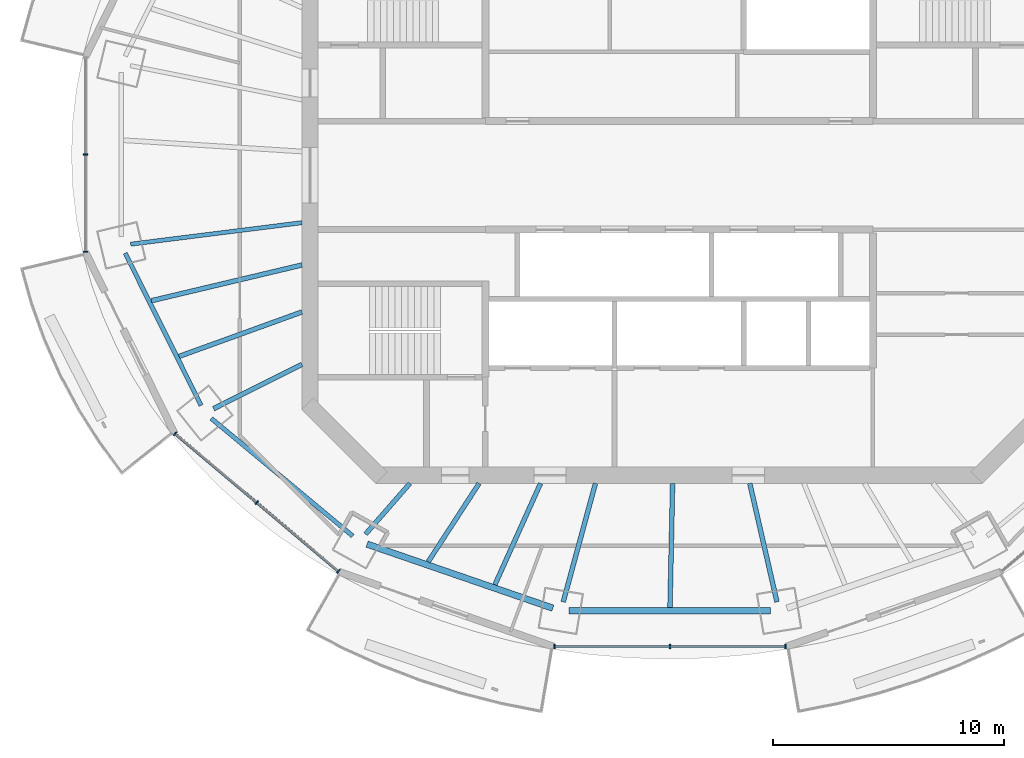
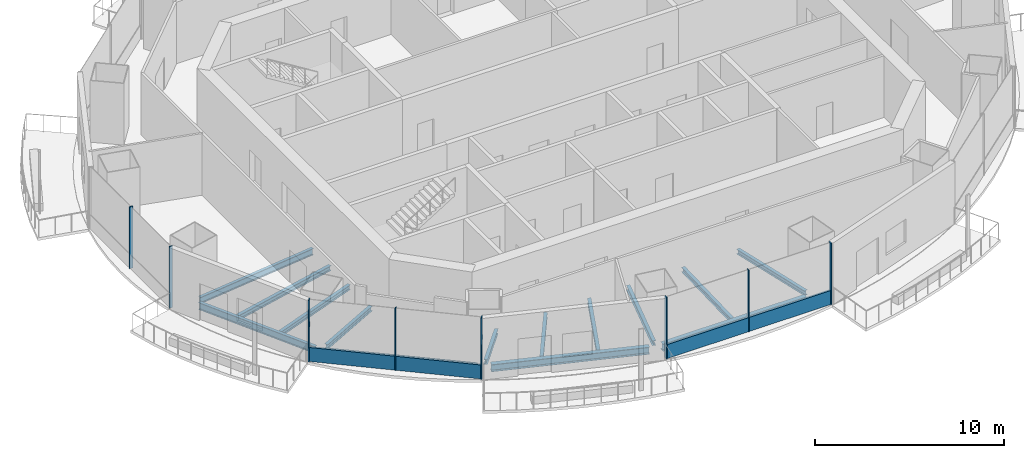
# One storey, part 2 of 16: 14 beams, 10 members, 3 elements without a shape of their own.
"""IFC4 building model written with IfcOpenShell, lengths in metres."""

from ifc_helpers import new_model, si_unit, direction, frame, origin, origin_2d, place, context, subcontext, project, spatial, rectangle, i_section, extrude, material, material_profile, profile_set, type_object, element, aggregate, save


model = new_model("IFC4")

# Units and contexts
model_context = context("Model", 3, precision=1e-05, world=origin(), true_north=direction((0.0, 1.0)))
body_context = subcontext(model_context, "Body", "Model", "MODEL_VIEW")
ifc_project = project(units=[si_unit("LENGTHUNIT", "METRE"), si_unit("AREAUNIT", "SQUARE_METRE"), si_unit("VOLUMEUNIT", "CUBIC_METRE"), si_unit("PLANEANGLEUNIT", "RADIAN"), si_unit("MASSUNIT", "GRAM", prefix="KILO")], contexts=[model_context])

# Site, building, storey
site_placement = place(None, origin())
site = spatial("IfcSite", under=ifc_project, at=site_placement, CompositionType="ELEMENT")
building_placement = place(site_placement, origin())
building = spatial("IfcBuilding", under=site, at=building_placement, Name="Marenthal Gate Tower", CompositionType="ELEMENT")
storey_placement = place(building_placement, frame((0.0, 0.0, 371.64990234375)))
storey = spatial("IfcBuildingStorey", under=building, at=storey_placement, Name="L84", CompositionType="ELEMENT", Elevation=371.64990234375)

# Curtain wall, members
ifc_material_1 = material(Name="Aluminium and glass", Category="aluminium")
curtain_wall_type = type_object("IfcCurtainWallType", Name="Curtain wall typical high", PredefinedType="NOTDEFINED", material=ifc_material_1)
curtain_wall_1_placement = place(storey_placement, origin())
curtain_wall_1 = element("IfcCurtainWall", 1, at=curtain_wall_1_placement, inside=storey, type_object=curtain_wall_type, Name="Curtain wall L84 bay 8", PredefinedType="NOTDEFINED")
ifc_material_2 = material(Name="Aluminium", Category="aluminium")
ifc_material_profile_1 = material_profile(ifc_material_2, rectangle(XDim=0.199951171875, YDim=0.06005859375, at=origin_2d()), Name="60x200 aluminium mullion")
ifc_profile_set_1 = profile_set([ifc_material_profile_1], Name="Aluminium")
member_type_1 = type_object("IfcMemberType", Name="Mullion 60x200 typical high", PredefinedType="MULLION", material=ifc_profile_set_1)
member_1_placement = place(storey_placement, frame((-25.725830078125, 0.89990234375, 0.0), z_axis=(0.0, 0.0, 1.0), x_axis=(1.0, 0.0, 0.0)))
member_1 = element("IfcMember", 2, at=member_1_placement, type_object=member_type_1, Name="Mullion L84 bay 8.2", PredefinedType="MULLION", context=body_context, shape_type="SweptSolid", body=[
    extrude(rectangle(XDim=0.199951171875, YDim=0.06005859375, at=origin_2d()), origin(), (0.0, 0.0, 1.0), 3.97021484375),
])
member_2_placement = place(storey_placement, frame((-25.725830078125, -3.312255859375, 0.0), z_axis=(0.0, 0.0, 1.0), x_axis=(1.0, 0.0, 0.0)))
member_2 = element("IfcMember", 3, at=member_2_placement, type_object=member_type_1, Name="Mullion L84 bay 8.3", PredefinedType="MULLION", context=body_context, shape_type="SweptSolid", body=[
    extrude(rectangle(XDim=0.199951171875, YDim=0.06005859375, at=origin_2d()), origin(), (0.0, 0.0, 1.0), 3.97021484375),
])
aggregate(curtain_wall_1, [member_1, member_2])

curtain_wall_2_placement = place(storey_placement, origin())
curtain_wall_2 = element("IfcCurtainWall", 4, at=curtain_wall_2_placement, inside=storey, type_object=curtain_wall_type, Name="Curtain wall L84 bay 10", PredefinedType="NOTDEFINED")
member_3_placement = place(storey_placement, frame((-21.84716796875, -11.2001953125, 0.0), z_axis=(0.0, 0.0, 1.0), x_axis=(0.64413508453, 0.764911754961, 0.0)))
member_3 = element("IfcMember", 5, at=member_3_placement, type_object=member_type_1, Name="Mullion L84 bay 10.1", PredefinedType="MULLION", context=body_context, shape_type="SweptSolid", body=[
    extrude(rectangle(XDim=0.199951171875, YDim=0.06005859375, at=origin_2d()), origin(), (0.0, 0.0, 1.0), 3.97021484375),
])
member_4_placement = place(storey_placement, frame((-18.30810546875, -14.1806640625, 0.0), z_axis=(0.0, 0.0, 1.0), x_axis=(0.64413508453, 0.764911754961, 0.0)))
member_4 = element("IfcMember", 6, at=member_4_placement, type_object=member_type_1, Name="Mullion L84 bay 10.2", PredefinedType="MULLION", context=body_context, shape_type="SweptSolid", body=[
    extrude(rectangle(XDim=0.199951171875, YDim=0.06005859375, at=origin_2d()), origin(), (0.0, 0.0, 1.0), 3.97021484375),
])
member_5_placement = place(storey_placement, frame((-14.768798828125, -17.160888671875, 0.0), z_axis=(0.0, 0.0, 1.0), x_axis=(0.64413508453, 0.764911754961, 0.0)))
member_5 = element("IfcMember", 7, at=member_5_placement, type_object=member_type_1, Name="Mullion L84 bay 10.3", PredefinedType="MULLION", context=body_context, shape_type="SweptSolid", body=[
    extrude(rectangle(XDim=0.199951171875, YDim=0.06005859375, at=origin_2d()), origin(), (0.0, 0.0, 1.0), 3.97021484375),
])

curtain_wall_3_placement = place(storey_placement, origin())
curtain_wall_3 = element("IfcCurtainWall", 8, at=curtain_wall_3_placement, inside=storey, type_object=curtain_wall_type, Name="Curtain wall L84 bay 12", PredefinedType="NOTDEFINED")
member_6_placement = place(storey_placement, frame((-5.40771484375, -20.42724609375, 0.0), z_axis=(0.0, 0.0, 1.0), x_axis=(0.0, 1.0, 0.0)))
member_6 = element("IfcMember", 9, at=member_6_placement, type_object=member_type_1, Name="Mullion L84 bay 12.1", PredefinedType="MULLION", context=body_context, shape_type="SweptSolid", body=[
    extrude(rectangle(XDim=0.199951171875, YDim=0.06005859375, at=origin_2d()), origin(), (0.0, 0.0, 1.0), 3.97021484375),
])
member_7_placement = place(storey_placement, frame((-0.39990234375, -20.42724609375, 0.0), z_axis=(0.0, 0.0, 1.0), x_axis=(0.0, 1.0, 0.0)))
member_7 = element("IfcMember", 10, at=member_7_placement, type_object=member_type_1, Name="Mullion L84 bay 12.2", PredefinedType="MULLION", context=body_context, shape_type="SweptSolid", body=[
    extrude(rectangle(XDim=0.199951171875, YDim=0.06005859375, at=origin_2d()), origin(), (0.0, 0.0, 1.0), 3.97021484375),
])
member_8_placement = place(storey_placement, frame((4.607666015625, -20.42724609375, 0.0), z_axis=(0.0, 0.0, 1.0), x_axis=(0.0, 1.0, 0.0)))
member_8 = element("IfcMember", 11, at=member_8_placement, type_object=member_type_1, Name="Mullion L84 bay 12.3", PredefinedType="MULLION", context=body_context, shape_type="SweptSolid", body=[
    extrude(rectangle(XDim=0.199951171875, YDim=0.06005859375, at=origin_2d()), origin(), (0.0, 0.0, 1.0), 3.97021484375),
])

# Member
ifc_material_3 = material(Name="Aluminium", Category="aluminium")
ifc_material_profile_2 = material_profile(ifc_material_3, rectangle(XDim=0.1201171875, YDim=0.89990234375, at=origin_2d()), Name="120x900 aluminium transom")
ifc_profile_set_2 = profile_set([ifc_material_profile_2], Name="Aluminium")
member_type_2 = type_object("IfcMemberType", Name="Transom 120x900 typical high", PredefinedType="USERDEFINED", material=ifc_profile_set_2)
member_9_placement = place(storey_placement, frame((-21.82421875, -11.219482421875, 0.4501953125), z_axis=(0.764909132267, -0.644138198972, 0.0), x_axis=(0.644138198972, 0.764909132267, 0.0)))
member_9 = element("IfcMember", 12, at=member_9_placement, type_object=member_type_2, Name="Transom L84 bay 10", ObjectType="TRANSOM", PredefinedType="USERDEFINED", context=body_context, shape_type="SweptSolid", body=[
    extrude(rectangle(XDim=0.1201171875, YDim=0.89990234375, at=origin_2d()), origin(), (0.0, 0.0, 1.0), 9.19384765625),
])

aggregate(curtain_wall_2, [member_3, member_4, member_5, member_9])

member_10_placement = place(storey_placement, frame((-5.377685546875, -20.42724609375, 0.4501953125), z_axis=(1.0, 0.0, 0.0), x_axis=(0.0, 1.0, 0.0)))
member_10 = element("IfcMember", 13, at=member_10_placement, type_object=member_type_2, Name="Transom L84 bay 12", ObjectType="TRANSOM", PredefinedType="USERDEFINED", context=body_context, shape_type="SweptSolid", body=[
    extrude(rectangle(XDim=0.1201171875, YDim=0.89990234375, at=origin_2d()), origin(), (0.0, 0.0, 1.0), 9.955322265625),
])

aggregate(curtain_wall_3, [member_6, member_7, member_8, member_10])

# Beams
ifc_material_4 = material(Name="Steel S355", Category="steel")
ifc_material_profile_3 = material_profile(ifc_material_4, i_section(OverallWidth=0.202880859375, OverallDepth=0.302001953125, WebThickness=0.007568359375, FlangeThickness=0.01318359375, FilletRadius=0.0126953125, at=origin_2d()), Name="W310X60")
ifc_profile_set_3 = profile_set([ifc_material_profile_3], Name="Steel S355")
beam_type_1 = type_object("IfcBeamType", Name="W310X60 beam", PredefinedType="BEAM", material=ifc_profile_set_3)
beam_1_placement = place(storey_placement, frame((-21.672607421875, -7.847412109375, -0.330810546875), z_axis=(0.940258470741, 0.340461463604, 0.0), x_axis=(-0.340461463604, 0.940258470741, 0.0)))
element("IfcBeam", 14, at=beam_1_placement, inside=storey, type_object=beam_type_1, Name="BM-L84-30", PredefinedType="BEAM", context=body_context, shape_type="SweptSolid", body=[
    extrude(i_section(OverallWidth=0.202880859375, OverallDepth=0.302001953125, WebThickness=0.007568359375, FlangeThickness=0.01318359375, FilletRadius=0.0126953125, at=origin_2d()), origin(), (0.0, 0.0, 1.0), 5.66064453125),
])
beam_2_placement = place(storey_placement, frame((-10.876953125, -16.749755859375, -0.330810546875), z_axis=(0.544639003867, 0.838670588173, 0.0), x_axis=(-0.838670588173, 0.544639003867, 0.0)))
element("IfcBeam", 15, at=beam_2_placement, inside=storey, type_object=beam_type_1, Name="BM-L84-31", PredefinedType="BEAM", context=body_context, shape_type="SweptSolid", body=[
    extrude(i_section(OverallWidth=0.202880859375, OverallDepth=0.302001953125, WebThickness=0.007568359375, FlangeThickness=0.01318359375, FilletRadius=0.0126953125, at=origin_2d()), origin(), (0.0, 0.0, 1.0), 4.0537109375),
])
beam_3_placement = place(storey_placement, frame((-7.98486328125, -17.74609375, -0.330810546875), z_axis=(0.410335194942, 0.911934771676, 0.0), x_axis=(-0.911934771676, 0.410335194942, 0.0)))
element("IfcBeam", 16, at=beam_3_placement, inside=storey, type_object=beam_type_1, Name="BM-L84-32", PredefinedType="BEAM", context=body_context, shape_type="SweptSolid", body=[
    extrude(i_section(OverallWidth=0.202880859375, OverallDepth=0.302001953125, WebThickness=0.007568359375, FlangeThickness=0.01318359375, FilletRadius=0.0126953125, at=origin_2d()), origin(), (0.0, 0.0, 1.0), 4.820556640625),
])
beam_4_placement = place(storey_placement, frame((-0.39697265625, -18.738037109375, -0.330810546875), z_axis=(0.021156168271, 0.999776183225, 0.0), x_axis=(-0.999776183225, 0.021156168271, 0.0)))
element("IfcBeam", 17, at=beam_4_placement, inside=storey, type_object=beam_type_1, Name="BM-L84-33", PredefinedType="BEAM", context=body_context, shape_type="SweptSolid", body=[
    extrude(i_section(OverallWidth=0.202880859375, OverallDepth=0.302001953125, WebThickness=0.007568359375, FlangeThickness=0.01318359375, FilletRadius=0.0126953125, at=origin_2d()), origin(), (0.0, 0.0, 1.0), 5.38916015625),
])
ifc_material_5 = material(Name="Steel S355", Category="steel")
ifc_material_profile_4 = material_profile(ifc_material_5, i_section(OverallWidth=0.205078125, OverallDepth=0.31005859375, WebThickness=0.009521484375, FlangeThickness=0.016357421875, FilletRadius=0.0126953125, at=origin_2d()), Name="W310X74")
ifc_profile_set_4 = profile_set([ifc_material_profile_4], Name="Steel S355")
beam_type_2 = type_object("IfcBeamType", Name="W310X74 beam", PredefinedType="BEAM", material=ifc_profile_set_4)
beam_5_placement = place(storey_placement, frame((-20.180419921875, -10.114501953125, -0.3349609375), z_axis=(0.894005119758, 0.448056744003, 0.0), x_axis=(-0.448056744003, 0.894005119758, 0.0)))
element("IfcBeam", 18, at=beam_5_placement, inside=storey, type_object=beam_type_2, Name="BM-L84-10", PredefinedType="BEAM", context=body_context, shape_type="SweptSolid", body=[
    extrude(i_section(OverallWidth=0.205078125, OverallDepth=0.31005859375, WebThickness=0.009521484375, FlangeThickness=0.016357421875, FilletRadius=0.0126953125, at=origin_2d()), origin(), (0.0, 0.0, 1.0), 4.284423828125),
])
beam_6_placement = place(storey_placement, frame((-13.59130859375, -15.550048828125, -0.3349609375), z_axis=(0.658096337895, 0.752933735497, 0.0), x_axis=(-0.752933735497, 0.658096337895, 0.0)))
element("IfcBeam", 19, at=beam_6_placement, inside=storey, type_object=beam_type_2, Name="BM-L84-11", PredefinedType="BEAM", context=body_context, shape_type="SweptSolid", body=[
    extrude(i_section(OverallWidth=0.205078125, OverallDepth=0.31005859375, WebThickness=0.009521484375, FlangeThickness=0.016357421875, FilletRadius=0.0126953125, at=origin_2d()), origin(), (0.0, 0.0, 1.0), 2.921875),
])
beam_7_placement = place(storey_placement, frame((-5.023193359375, -18.487060546875, -0.3349609375), z_axis=(0.262201429118, 0.965013166008, 0.0), x_axis=(-0.965013166008, 0.262201429118, 0.0)))
element("IfcBeam", 20, at=beam_7_placement, inside=storey, type_object=beam_type_2, Name="BM-L84-12", PredefinedType="BEAM", context=body_context, shape_type="SweptSolid", body=[
    extrude(i_section(OverallWidth=0.205078125, OverallDepth=0.31005859375, WebThickness=0.009521484375, FlangeThickness=0.016357421875, FilletRadius=0.0126953125, at=origin_2d()), origin(), (0.0, 0.0, 1.0), 5.3232421875),
])
beam_8_placement = place(storey_placement, frame((4.239501953125, -18.48583984375, -0.3349609375), z_axis=(-0.223519228241, 0.974699520163, 0.0), x_axis=(-0.974699520163, -0.223519228241, 0.0)))
element("IfcBeam", 21, at=beam_8_placement, inside=storey, type_object=beam_type_2, Name="BM-L84-13", PredefinedType="BEAM", context=body_context, shape_type="SweptSolid", body=[
    extrude(i_section(OverallWidth=0.205078125, OverallDepth=0.31005859375, WebThickness=0.009521484375, FlangeThickness=0.016357421875, FilletRadius=0.0126953125, at=origin_2d()), origin(), (0.0, 0.0, 1.0), 5.26904296875),
])
beam_9_placement = place(storey_placement, frame((-22.874267578125, -5.434326171875, -0.3349609375), z_axis=(0.972926011312, 0.231116802747, 0.0), x_axis=(-0.231116802747, 0.972926011312, 0.0)))
element("IfcBeam", 22, at=beam_9_placement, inside=storey, type_object=beam_type_2, Name="BM-L84-29", PredefinedType="BEAM", context=body_context, shape_type="SweptSolid", body=[
    extrude(i_section(OverallWidth=0.205078125, OverallDepth=0.31005859375, WebThickness=0.009521484375, FlangeThickness=0.016357421875, FilletRadius=0.0126953125, at=origin_2d()), origin(), (0.0, 0.0, 1.0), 6.705810546875),
])
ifc_material_6 = material(Name="Steel S355", Category="steel")
ifc_material_profile_5 = material_profile(ifc_material_6, i_section(OverallWidth=0.180908203125, OverallDepth=0.4169921875, WebThickness=0.010986328125, FlangeThickness=0.018310546875, FilletRadius=0.01025390625, at=origin_2d()), Name="W410X85")
ifc_profile_set_5 = profile_set([ifc_material_profile_5], Name="Steel S355")
beam_type_3 = type_object("IfcBeamType", Name="W410X85 beam", PredefinedType="BEAM", material=ifc_profile_set_5)
beam_10_placement = place(storey_placement, frame((-23.77392578125, -2.9833984375, -0.388427734375), z_axis=(0.992217519414, 0.124516642136, 0.0), x_axis=(-0.124516642136, 0.992217519414, 0.0)))
element("IfcBeam", 23, at=beam_10_placement, inside=storey, type_object=beam_type_3, Name="BM-L84-09", PredefinedType="BEAM", context=body_context, shape_type="SweptSolid", body=[
    extrude(i_section(OverallWidth=0.180908203125, OverallDepth=0.4169921875, WebThickness=0.010986328125, FlangeThickness=0.018310546875, FilletRadius=0.01025390625, at=origin_2d()), origin(), (0.0, 0.0, 1.0), 7.482177734375),
])
ifc_material_7 = material(Name="Steel S355", Category="steel")
ifc_material_profile_6 = material_profile(ifc_material_7, i_section(OverallWidth=0.279052734375, OverallDepth=0.4619140625, WebThickness=0.0107421875, FlangeThickness=0.017333984375, FilletRadius=0.010009765625, at=origin_2d()), Name="W460X113")
ifc_profile_set_6 = profile_set([ifc_material_profile_6], Name="Steel S355")
beam_type_4 = type_object("IfcBeamType", Name="W460X113 beam", PredefinedType="BEAM", material=ifc_profile_set_6)
beam_11_placement = place(storey_placement, frame((-13.524658203125, -15.98486328125, -0.410888671875), z_axis=(0.945453672433, -0.325756585939, 0.0), x_axis=(0.325756585939, 0.945453672433, 0.0)))
element("IfcBeam", 24, at=beam_11_placement, inside=storey, type_object=beam_type_4, Name="BM-L84-49", PredefinedType="BEAM", context=body_context, shape_type="SweptSolid", body=[
    extrude(i_section(OverallWidth=0.279052734375, OverallDepth=0.4619140625, WebThickness=0.0107421875, FlangeThickness=0.017333984375, FilletRadius=0.010009765625, at=origin_2d()), origin(), (0.0, 0.0, 1.0), 8.517578125),
])
beam_12_placement = place(storey_placement, frame((-4.767822265625, -18.87744140625, -0.410888671875), z_axis=(1.0, 0.0, 0.0), x_axis=(0.0, 1.0, 0.0)))
element("IfcBeam", 25, at=beam_12_placement, inside=storey, type_object=beam_type_4, Name="BM-L84-50", PredefinedType="BEAM", context=body_context, shape_type="SweptSolid", body=[
    extrude(i_section(OverallWidth=0.279052734375, OverallDepth=0.4619140625, WebThickness=0.0107421875, FlangeThickness=0.017333984375, FilletRadius=0.010009765625, at=origin_2d()), origin(), (0.0, 0.0, 1.0), 8.735595703125),
])
ifc_material_8 = material(Name="Steel S355", Category="steel")
ifc_material_profile_7 = material_profile(ifc_material_8, i_section(OverallWidth=0.19091796875, OverallDepth=0.45703125, WebThickness=0.009033203125, FlangeThickness=0.014404296875, FilletRadius=0.01025390625, at=origin_2d()), Name="W460X74")
ifc_profile_set_7 = profile_set([ifc_material_profile_7], Name="Steel S355")
beam_type_5 = type_object("IfcBeamType", Name="W460X74 beam", PredefinedType="BEAM", material=ifc_profile_set_7)
beam_13_placement = place(storey_placement, frame((-24.01025390625, -3.367431640625, -0.408447265625), z_axis=(0.445757037606, -0.895153988666, 0.0), x_axis=(0.895153988666, 0.445757037606, 0.0)))
element("IfcBeam", 26, at=beam_13_placement, inside=storey, type_object=beam_type_5, Name="BM-L84-47", PredefinedType="BEAM", context=body_context, shape_type="SweptSolid", body=[
    extrude(i_section(OverallWidth=0.19091796875, OverallDepth=0.45703125, WebThickness=0.009033203125, FlangeThickness=0.014404296875, FilletRadius=0.01025390625, at=origin_2d()), origin(), (0.0, 0.0, 1.0), 7.3779296875),
])
beam_14_placement = place(storey_placement, frame((-20.274169921875, -10.5380859375, -0.408447265625), z_axis=(0.76879863702, -0.639490934819, 0.0), x_axis=(0.639490934819, 0.76879863702, 0.0)))
element("IfcBeam", 27, at=beam_14_placement, inside=storey, type_object=beam_type_5, Name="BM-L84-48", PredefinedType="BEAM", context=body_context, shape_type="SweptSolid", body=[
    extrude(i_section(OverallWidth=0.19091796875, OverallDepth=0.45703125, WebThickness=0.009033203125, FlangeThickness=0.014404296875, FilletRadius=0.01025390625, at=origin_2d()), origin(), (0.0, 0.0, 1.0), 7.967529296875),
])

save(model, "model.ifc")
